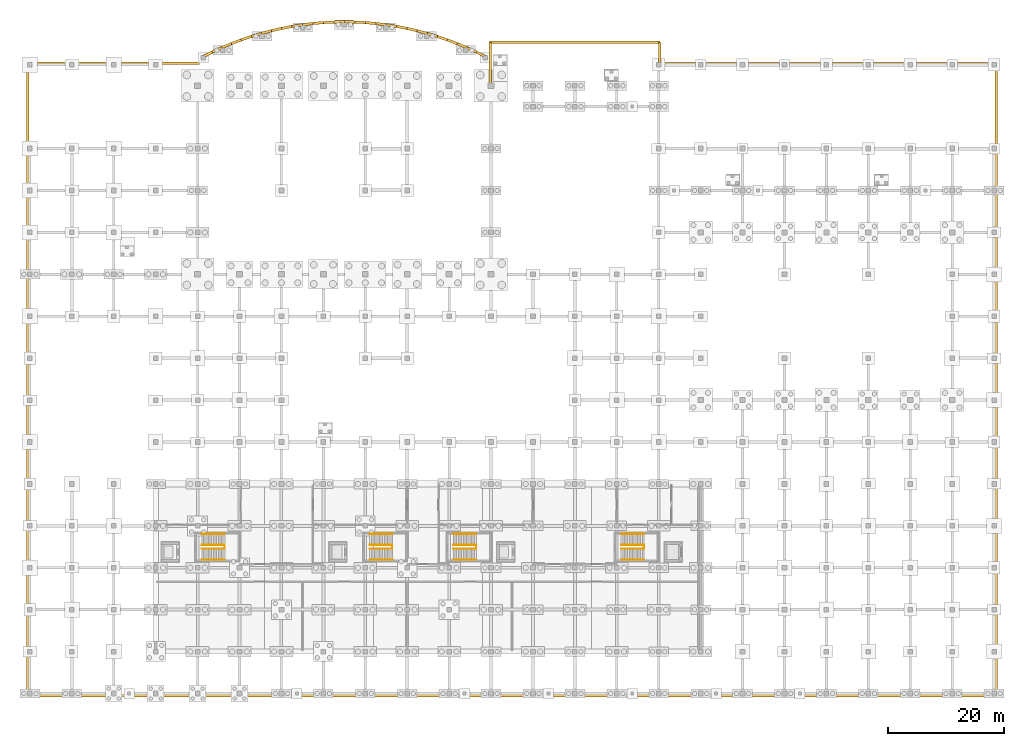
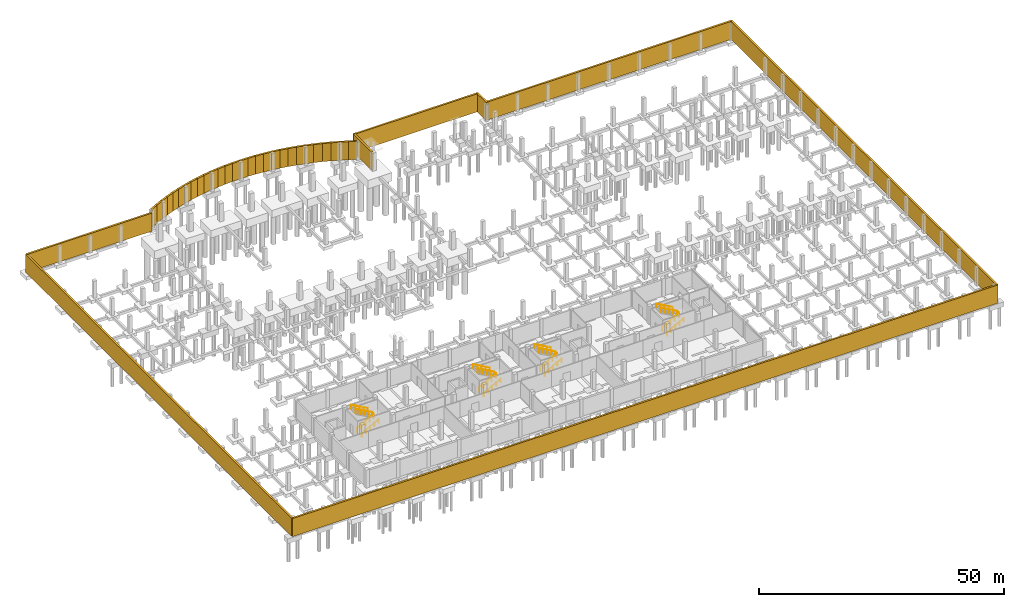
# One storey, part 21 of 22: 36 coverings, 12 railings.
"""IFC4 building model written with IfcOpenShell, lengths in metres."""

import ifcopenshell
import ifcopenshell.guid

model = None  # the IFC model being written
_history = None  # IfcOwnerHistory: only IFC2X3 demands one
_inside = {}  # id of a spatial element -> (the spatial element, [elements in it])
_under = {}  # id of a project, library or spatial element -> (it, [spatial elements below it])
_declared = {}  # id of a project -> (the project, [libraries it declares])
_typed = {}  # id of a type object -> (the type object, [elements of that type])
_made_of = {}  # id of a material, layer set ... -> (it, [elements and type objects made of it])


def new_model(schema):
    """Start an empty IFC model of exactly this schema.

    Asked for "IFC4X3", IfcOpenShell would pick the latest addendum, in which some entities
    have other attributes; the version numbers below select the first issue.
    IFC2X3 requires an IfcOwnerHistory on every rooted entity: one is made here for all.
    """
    global model, _history
    if schema == "IFC4X3":
        model = ifcopenshell.file(schema_version=(4, 3, 0, 0))
    else:
        model = ifcopenshell.file(schema=schema)
    _inside.clear()
    _under.clear()
    _declared.clear()
    _typed.clear()
    _made_of.clear()
    _history = None
    if model.schema == "IFC2X3":
        org = make("IfcOrganization", Name="unknown")
        user = make(
            "IfcPersonAndOrganization",
            ThePerson=make("IfcPerson", FamilyName="unknown"),
            TheOrganization=org,
        )
        app = make(
            "IfcApplication",
            ApplicationDeveloper=org,
            Version="unknown",
            ApplicationFullName="unknown",
            ApplicationIdentifier="unknown",
        )
        _history = make(
            "IfcOwnerHistory",
            OwningUser=user,
            OwningApplication=app,
            ChangeAction="ADDED",
            CreationDate=0,
        )
    return model


def make(cls, **values):
    """One entity of the class cls with the attributes given. An attribute that is None is left unset."""
    return model.create_entity(
        cls, **{name: value for name, value in values.items() if value is not None}
    )


def rooted(cls, **values):
    """An entity with a GlobalId (a new one), such as an element, a storey or a relation."""
    return make(cls, GlobalId=ifcopenshell.guid.new(), OwnerHistory=_history, **values)


def si_unit(unit_type, name, prefix=None):
    """IfcSIUnit, for example si_unit("LENGTHUNIT", "METRE", prefix="MILLI")."""
    return make("IfcSIUnit", UnitType=unit_type, Prefix=prefix, Name=name)


def assignment(units):
    """IfcUnitAssignment: the units of a project."""
    return None if units is None else make("IfcUnitAssignment", Units=units)


def point(xyz):
    """IfcCartesianPoint."""
    return None if xyz is None else make("IfcCartesianPoint", Coordinates=xyz)


def direction(xyz):
    """IfcDirection."""
    return None if xyz is None else make("IfcDirection", DirectionRatios=xyz)


def frame(location, z_axis=None, x_axis=None):
    """IfcAxis2Placement3D, a coordinate frame: its origin and axes. An axis left out is left unset."""
    return make(
        "IfcAxis2Placement3D",
        Location=point(location),
        Axis=direction(z_axis),
        RefDirection=direction(x_axis),
    )


def frame_2d(location, x_axis=None):
    """IfcAxis2Placement2D, a coordinate frame in the plane: its origin and x axis."""
    return make(
        "IfcAxis2Placement2D", Location=point(location), RefDirection=direction(x_axis)
    )


def origin():
    """The frame at (0, 0, 0) with its axes left unset."""
    return frame((0.0, 0.0, 0.0))


def origin_2d():
    """The frame at (0, 0) in the plane with its x axis left unset."""
    return frame_2d((0.0, 0.0))


def place(relative_to, where):
    """IfcLocalPlacement: puts the frame where relative to a parent placement (None: the world)."""
    return make(
        "IfcLocalPlacement", PlacementRelTo=relative_to, RelativePlacement=where
    )


def context(
    kind, dimensions, precision=None, world=None, true_north=None, identifier=None
):
    """IfcGeometricRepresentationContext, for example the 3D "Model" context."""
    return make(
        "IfcGeometricRepresentationContext",
        ContextIdentifier=identifier,
        ContextType=kind,
        CoordinateSpaceDimension=dimensions,
        Precision=precision,
        WorldCoordinateSystem=world,
        TrueNorth=true_north,
    )


def subcontext(parent, identifier, kind, view, scale=None):
    """IfcGeometricRepresentationSubContext, for example "Body" below "Model"."""
    return make(
        "IfcGeometricRepresentationSubContext",
        ContextIdentifier=identifier,
        ContextType=kind,
        ParentContext=parent,
        TargetScale=scale,
        TargetView=view,
    )


def project(units=None, contexts=None):
    """IfcProject with its units and contexts."""
    return rooted(
        "IfcProject",
        Name="project",
        RepresentationContexts=contexts,
        UnitsInContext=assignment(units),
    )


def spatial(cls, under=None, at=None, **own):
    """A site, building, storey or space (cls), placed at a placement, below another one or the project."""
    s = rooted(cls, ObjectPlacement=at, **own)
    if under is not None:
        _under.setdefault(under.id(), (under, []))[1].append(s)
    return s


def profile(cls, at=None, kind="AREA", **sizes):
    """A parametric profile (cls). Its sizes go by their IFC names, for example OverallWidth=200.0."""
    return make(cls, ProfileType=kind, Position=at, **sizes)


def rectangle(**sizes):
    """IfcRectangleProfileDef."""
    return profile("IfcRectangleProfileDef", **sizes)


def circle(**sizes):
    """IfcCircleProfileDef."""
    return profile("IfcCircleProfileDef", **sizes)


def extrude(swept, where, along, depth):
    """IfcExtrudedAreaSolid: the profile swept, set in the frame where, extruded along a direction by depth."""
    return make(
        "IfcExtrudedAreaSolid",
        SweptArea=swept,
        Position=where,
        ExtrudedDirection=direction(along),
        Depth=depth,
    )


def shape(context_of_items, identifier, shape_type, items):
    """IfcShapeRepresentation: the items that make up one representation, for example the "Body"."""
    return make(
        "IfcShapeRepresentation",
        ContextOfItems=context_of_items,
        RepresentationIdentifier=identifier,
        RepresentationType=shape_type,
        Items=items,
    )


def material(Name=None, Category=None):
    """IfcMaterial."""
    return make("IfcMaterial", Name=Name, Category=Category)


def layer(
    of_material, thickness, ventilated=None, Name=None, Category=None, Priority=None
):
    """IfcMaterialLayer: one layer of a wall or slab, of a material (None: an air gap)."""
    return make(
        "IfcMaterialLayer",
        Material=of_material,
        LayerThickness=thickness,
        IsVentilated=ventilated,
        Name=Name,
        Category=Category,
        Priority=Priority,
    )


def layer_set(layers, Name=None):
    """IfcMaterialLayerSet."""
    return make("IfcMaterialLayerSet", MaterialLayers=layers, LayerSetName=Name)


def made_of(thing, what):
    """Note that an element or type object is made of a material, layer set ...; save() writes the relation."""
    if what is not None:
        _made_of.setdefault(what.id(), (what, []))[1].append(thing)
    return thing


def type_object(cls, material=None, **own):
    """A type object (cls), such as IfcWallType, which elements share."""
    return made_of(rooted(cls, **own), material)


def element(
    cls,
    number,
    at=None,
    inside=None,
    cuts=None,
    type_object=None,
    material=None,
    context=None,
    identifier="Body",
    shape_type=None,
    held_by="IfcProductDefinitionShape",
    body=None,
    shapes=None,
    **own,
):
    """One element of the class cls, such as IfcWall. Its Tag is "e" and its number.

    at: its placement. inside: the storey or other place that contains it. cuts: it is an
    opening in that element (IfcRelVoidsElement). A single representation is given by context,
    identifier, shape_type and body (its items); several are given by shapes. held_by: the class
    of the entity that holds the representations. save() writes the other relations.
    """
    e = rooted(cls, Tag="e%d" % number, ObjectPlacement=at, **own)
    if body is not None:
        shapes = [shape(context, identifier, shape_type, body)]
    if shapes is not None:
        e.Representation = make(held_by, Representations=shapes)
    if inside is not None:
        _inside.setdefault(inside.id(), (inside, []))[1].append(e)
    if cuts is not None:
        rooted(
            "IfcRelVoidsElement", RelatingBuildingElement=cuts, RelatedOpeningElement=e
        )
    if type_object is not None:
        _typed.setdefault(type_object.id(), (type_object, []))[1].append(e)
    return made_of(e, material)


def aggregate(whole, parts):
    """IfcRelAggregates: a whole, such as a stair, and the parts it consists of."""
    return rooted("IfcRelAggregates", RelatingObject=whole, RelatedObjects=parts)


def save(model, path):
    """Write the relations noted so far, then the file.

    IfcRelAggregates (storeys below a building ...), IfcRelContainedInSpatialStructure (elements
    in a storey), IfcRelDefinesByType, IfcRelAssociatesMaterial and IfcRelDeclares: one each for
    every whole, place, type object, material and project.
    """
    for whole, parts in _under.values():
        aggregate(whole, parts)
    for where, things in _inside.values():
        rooted(
            "IfcRelContainedInSpatialStructure",
            RelatedElements=things,
            RelatingStructure=where,
        )
    for kind, things in _typed.values():
        rooted("IfcRelDefinesByType", RelatedObjects=things, RelatingType=kind)
    for what, things in _made_of.values():
        rooted("IfcRelAssociatesMaterial", RelatedObjects=things, RelatingMaterial=what)
    for by, libraries in _declared.values():
        rooted("IfcRelDeclares", RelatingContext=by, RelatedDefinitions=libraries)
    model.write(path)


model = new_model("IFC4")

# Units and contexts
model_context = context("Model", 3, precision=1e-05, world=origin(), true_north=direction((0.0, 1.0)))
body_context = subcontext(model_context, "Body", "Model", "MODEL_VIEW")
ifc_project = project(units=[si_unit("LENGTHUNIT", "METRE"), si_unit("AREAUNIT", "SQUARE_METRE"), si_unit("VOLUMEUNIT", "CUBIC_METRE"), si_unit("PLANEANGLEUNIT", "RADIAN"), si_unit("MASSUNIT", "GRAM", prefix="KILO")], contexts=[model_context])

# Site, building, storey
site_placement = place(None, origin())
site = spatial("IfcSite", under=ifc_project, at=site_placement, CompositionType="ELEMENT")
building_placement = place(site_placement, origin())
building = spatial("IfcBuilding", under=site, at=building_placement, Name="Sardonyx Promenade Sports Hall", CompositionType="ELEMENT")
storey_placement = place(building_placement, frame((0.0, 0.0, -4.5)))
storey = spatial("IfcBuildingStorey", under=building, at=storey_placement, Name="B1", CompositionType="ELEMENT", Elevation=-4.5)

# Coverings
ifc_material_1 = material(Name="Dressed Cape red sandstone ashlar", Category="masonry")
ifc_layer = layer(ifc_material_1, 0.06005859375)
ifc_layer_set = layer_set([ifc_layer], Name="Cov_Cladding_Sandstone")
covering_type = type_object("IfcCoveringType", Name="Cov_Cladding_Sandstone", PredefinedType="CLADDING", material=ifc_layer_set)
covering_1_placement = place(storey_placement, frame((-0.449951171875, -0.35009765625, 0.0), z_axis=(0.0, 0.0, 1.0), x_axis=(1.0, 0.0, 0.0)))
element("IfcCovering", 1, at=covering_1_placement, inside=storey, type_object=covering_type, Name="Harbourfront dressed sandstone plinth S", PredefinedType="CLADDING", context=body_context, shape_type="SweptSolid", body=[
    extrude(rectangle(XDim=166.5, YDim=0.43994140625, at=frame_2d((83.25, 0.0))), origin(), (0.0, 0.0, 1.0), 4.5),
])
for number, where, z_axis, x_axis, name in (
    (2, (165.949951171875, -0.35009765625, 0.0), (0.0, 0.0, 1.0), (0.0, 1.0, 0.0), "Harbourfront dressed sandstone plinth E"),
    (3, (-0.35009765625, -0.35009765625, 0.0), (0.0, 0.0, 1.0), (0.0, 1.0, 0.0), "Harbourfront dressed sandstone plinth W"),
):
    element("IfcCovering", number, at=place(storey_placement, frame(where, z_axis=z_axis, x_axis=x_axis)), inside=storey, type_object=covering_type, Name=name, PredefinedType="CLADDING", context=body_context, shape_type="SweptSolid", body=[
        extrude(rectangle(XDim=108.7001953125, YDim=0.43994140625, at=frame_2d((54.35009765625, 0.0))), origin(), (0.0, 0.0, 1.0), 4.5),
    ])
covering_2_placement = place(storey_placement, frame((-0.35009765625, 108.25, 0.0), z_axis=(0.0, 0.0, 1.0), x_axis=(1.0, 0.0, 0.0)))
element("IfcCovering", 4, at=covering_2_placement, inside=storey, type_object=covering_type, Name="Harbourfront dressed sandstone plinth NW", PredefinedType="CLADDING", context=body_context, shape_type="SweptSolid", body=[
    extrude(rectangle(XDim=29.4501953125, YDim=0.43994140625, at=frame_2d((14.72509765625, 0.0))), origin(), (0.0, 0.0, 1.0), 4.5),
])
covering_3_placement = place(storey_placement, frame((78.89990234375, 111.85009765625, 0.0), z_axis=(0.0, 0.0, 1.0), x_axis=(1.0, 0.0, 0.0)))
element("IfcCovering", 5, at=covering_3_placement, inside=storey, type_object=covering_type, Name="Harbourfront dressed sandstone plinth NP", PredefinedType="CLADDING", context=body_context, shape_type="SweptSolid", body=[
    extrude(rectangle(XDim=29.35009765625, YDim=0.43994140625, at=frame_2d((14.675048828125, 0.0))), origin(), (0.0, 0.0, 1.0), 4.5),
])
covering_4_placement = place(storey_placement, frame((79.050048828125, 104.39990234375, 0.0), z_axis=(0.0, 0.0, 1.0), x_axis=(0.0, 1.0, 0.0)))
element("IfcCovering", 6, at=covering_4_placement, inside=storey, type_object=covering_type, Name="Harbourfront dressed sandstone plinth NPW", PredefinedType="CLADDING", context=body_context, shape_type="SweptSolid", body=[
    extrude(rectangle(XDim=7.4501953125, YDim=0.43994140625, at=frame_2d((3.72509765625, 0.0))), origin(), (0.0, 0.0, 1.0), 4.5),
])
covering_5_placement = place(storey_placement, frame((108.14990234375, 108.0, 0.0), z_axis=(0.0, 0.0, 1.0), x_axis=(0.0, 1.0, 0.0)))
element("IfcCovering", 7, at=covering_5_placement, inside=storey, type_object=covering_type, Name="Harbourfront dressed sandstone plinth NPE", PredefinedType="CLADDING", context=body_context, shape_type="SweptSolid", body=[
    extrude(rectangle(XDim=3.85009765625, YDim=0.43994140625, at=frame_2d((1.925048828125, 0.0))), origin(), (0.0, 0.0, 1.0), 4.5),
])
covering_6_placement = place(storey_placement, frame((108.0, 108.25, 0.0), z_axis=(0.0, 0.0, 1.0), x_axis=(1.0, 0.0, 0.0)))
element("IfcCovering", 8, at=covering_6_placement, inside=storey, type_object=covering_type, Name="Harbourfront dressed sandstone plinth NE", PredefinedType="CLADDING", context=body_context, shape_type="SweptSolid", body=[
    extrude(rectangle(XDim=57.949951171875, YDim=0.43994140625, at=frame_2d((28.97509765625, 0.0))), origin(), (0.0, 0.0, 1.0), 4.5),
])
covering_7_placement = place(storey_placement, frame((29.70166015625, 109.354736328125, 0.0), z_axis=(0.0, 0.0, 1.0), x_axis=(0.892793566512, 0.450466033787, 0.0)))
element("IfcCovering", 9, at=covering_7_placement, inside=storey, type_object=covering_type, Name="Harbourfront bowed sandstone plinth CH01", PredefinedType="CLADDING", context=body_context, shape_type="SweptSolid", body=[
    extrude(rectangle(XDim=1.7998046875, YDim=0.43994140625, at=frame_2d((0.89990234375, 0.0))), origin(), (0.0, 0.0, 1.0), 4.5),
])
for number, where, z_axis, x_axis, name in (
    (10, (31.313720703125, 110.16796875, 0.0), (0.0, 0.0, 1.0), (0.907808472517, 0.419384998808, 0.0), "Harbourfront bowed sandstone plinth CH02"),
    (11, (32.952880859375, 110.925048828125, 0.0), (0.0, 0.0, 1.0), (0.921803799964, 0.387656748131, 0.0), "Harbourfront bowed sandstone plinth CH03"),
    (12, (34.6171875, 111.625, 0.0), (0.0, 0.0, 1.0), (0.934674543416, 0.35550456803, 0.0), "Harbourfront bowed sandstone plinth CH04"),
    (13, (36.3046875, 112.2666015625, 0.0), (0.0, 0.0, 1.0), (0.94638019917, 0.323054977705, 0.0), "Harbourfront bowed sandstone plinth CH05"),
    (14, (38.013671875, 112.849853515625, 0.0), (0.0, 0.0, 1.0), (0.957031248592, 0.289984808601, 0.0), "Harbourfront bowed sandstone plinth CH06"),
):
    element("IfcCovering", number, at=place(storey_placement, frame(where, z_axis=z_axis, x_axis=x_axis)), inside=storey, type_object=covering_type, Name=name, PredefinedType="CLADDING", context=body_context, shape_type="SweptSolid", body=[
        extrude(rectangle(XDim=1.800048828125, YDim=0.43994140625, at=frame_2d((0.89990234375, 0.0))), origin(), (0.0, 0.0, 1.0), 4.5),
    ])
covering_8_placement = place(storey_placement, frame((39.74169921875, 113.373291015625, 0.0), z_axis=(0.0, 0.0, 1.0), x_axis=(0.9664709268, 0.256776065183, 0.0)))
element("IfcCovering", 15, at=covering_8_placement, inside=storey, type_object=covering_type, Name="Harbourfront bowed sandstone plinth CH07", PredefinedType="CLADDING", context=body_context, shape_type="SweptSolid", body=[
    extrude(rectangle(XDim=1.7998046875, YDim=0.43994140625, at=frame_2d((0.89990234375, 0.0))), origin(), (0.0, 0.0, 1.0), 4.5),
])
for number, where, z_axis, x_axis, name in (
    (16, (41.486572265625, 113.836669921875, 0.0), (0.0, 0.0, 1.0), (0.974791962114, 0.223115733641, 0.0), "Harbourfront bowed sandstone plinth CH08"),
    (17, (43.24658203125, 114.239501953125, 0.0), (0.0, 0.0, 1.0), (0.981938667142, 0.189199508379, 0.0), "Harbourfront bowed sandstone plinth CH09"),
    (18, (45.01953125, 114.5810546875, 0.0), (0.0, 0.0, 1.0), (0.987890195462, 0.155154638057, 0.0), "Harbourfront bowed sandstone plinth CH10"),
    (19, (46.80322265625, 114.861083984375, 0.0), (0.0, 0.0, 1.0), (0.992671296073, 0.120845761006, 0.0), "Harbourfront bowed sandstone plinth CH11"),
    (20, (48.595703125, 115.079345703125, 0.0), (0.0, 0.0, 1.0), (0.996260411494, 0.086401345422, 0.0), "Harbourfront bowed sandstone plinth CH12"),
    (21, (50.394287109375, 115.235107421875, 0.0), (0.0, 0.0, 1.0), (0.998649863362, 0.051946611119, 0.0), "Harbourfront bowed sandstone plinth CH13"),
    (22, (52.197509765625, 115.328857421875, 0.0), (0.0, 0.0, 1.0), (0.999851642284, 0.017224790907, 0.0), "Harbourfront bowed sandstone plinth CH14"),
    (23, (54.002685546875, 115.35986328125, 0.0), (0.0, 0.0, 1.0), (0.999851642284, -0.017224790907, 0.0), "Harbourfront bowed sandstone plinth CH15"),
    (24, (55.80810546875, 115.32861328125, 0.0), (0.0, 0.0, 1.0), (0.998649863362, -0.051946611119, 0.0), "Harbourfront bowed sandstone plinth CH16"),
    (25, (57.611083984375, 115.23486328125, 0.0), (0.0, 0.0, 1.0), (0.996260411494, -0.086401345422, 0.0), "Harbourfront bowed sandstone plinth CH17"),
    (26, (59.409912109375, 115.07861328125, 0.0), (0.0, 0.0, 1.0), (0.992671296073, -0.120845761006, 0.0), "Harbourfront bowed sandstone plinth CH18"),
    (27, (61.2021484375, 114.8603515625, 0.0), (0.0, 0.0, 1.0), (0.987890195462, -0.155154638057, 0.0), "Harbourfront bowed sandstone plinth CH19"),
    (28, (62.98583984375, 114.580078125, 0.0), (0.0, 0.0, 1.0), (0.981938667142, -0.189199508379, 0.0), "Harbourfront bowed sandstone plinth CH20"),
    (29, (64.7587890625, 114.23828125, 0.0), (0.0, 0.0, 1.0), (0.974791962114, -0.223115733641, 0.0), "Harbourfront bowed sandstone plinth CH21"),
):
    element("IfcCovering", number, at=place(storey_placement, frame(where, z_axis=z_axis, x_axis=x_axis)), inside=storey, type_object=covering_type, Name=name, PredefinedType="CLADDING", context=body_context, shape_type="SweptSolid", body=[
        extrude(rectangle(XDim=1.800048828125, YDim=0.43994140625, at=frame_2d((0.89990234375, 0.0))), origin(), (0.0, 0.0, 1.0), 4.5),
    ])
covering_9_placement = place(storey_placement, frame((66.518798828125, 113.83544921875, 0.0), z_axis=(0.0, 0.0, 1.0), x_axis=(0.9664709268, -0.256776065183, 0.0)))
element("IfcCovering", 30, at=covering_9_placement, inside=storey, type_object=covering_type, Name="Harbourfront bowed sandstone plinth CH22", PredefinedType="CLADDING", context=body_context, shape_type="SweptSolid", body=[
    extrude(rectangle(XDim=1.7998046875, YDim=0.43994140625, at=frame_2d((0.89990234375, 0.0))), origin(), (0.0, 0.0, 1.0), 4.5),
])
for number, where, z_axis, x_axis, name in (
    (31, (68.263671875, 113.371826171875, 0.0), (0.0, 0.0, 1.0), (0.957031248592, -0.289984808601, 0.0), "Harbourfront bowed sandstone plinth CH23"),
    (32, (69.99169921875, 112.84814453125, 0.0), (0.0, 0.0, 1.0), (0.94638019917, -0.323054977705, 0.0), "Harbourfront bowed sandstone plinth CH24"),
    (33, (71.700439453125, 112.264892578125, 0.0), (0.0, 0.0, 1.0), (0.934674543416, -0.35550456803, 0.0), "Harbourfront bowed sandstone plinth CH25"),
    (34, (73.387939453125, 111.622802734375, 0.0), (0.0, 0.0, 1.0), (0.921803799964, -0.387656748131, 0.0), "Harbourfront bowed sandstone plinth CH26"),
    (35, (75.05224609375, 110.9228515625, 0.0), (0.0, 0.0, 1.0), (0.907808472517, -0.419384998808, 0.0), "Harbourfront bowed sandstone plinth CH27"),
):
    element("IfcCovering", number, at=place(storey_placement, frame(where, z_axis=z_axis, x_axis=x_axis)), inside=storey, type_object=covering_type, Name=name, PredefinedType="CLADDING", context=body_context, shape_type="SweptSolid", body=[
        extrude(rectangle(XDim=1.800048828125, YDim=0.43994140625, at=frame_2d((0.89990234375, 0.0))), origin(), (0.0, 0.0, 1.0), 4.5),
    ])
covering_10_placement = place(storey_placement, frame((76.69140625, 110.16552734375, 0.0), z_axis=(0.0, 0.0, 1.0), x_axis=(0.892793566512, -0.450466033787, 0.0)))
element("IfcCovering", 36, at=covering_10_placement, inside=storey, type_object=covering_type, Name="Harbourfront bowed sandstone plinth CH28", PredefinedType="CLADDING", context=body_context, shape_type="SweptSolid", body=[
    extrude(rectangle(XDim=1.7998046875, YDim=0.43994140625, at=frame_2d((0.89990234375, 0.0))), origin(), (0.0, 0.0, 1.0), 4.5),
])

# Railings
ifc_material_2 = material(Name="Powder-coated Steel S355JR", Category="steel")
railing_type_1 = type_object("IfcRailingType", Name="Rail_Int_Guard_1100", PredefinedType="GUARDRAIL", material=ifc_material_2)
railing_1_placement = place(storey_placement, frame((29.550048828125, 24.885009765625, 0.14990234375)))
element("IfcRailing", 37, at=railing_1_placement, inside=storey, type_object=railing_type_1, Name="Stair inner well guard ST1 B1", PredefinedType="GUARDRAIL", context=body_context, shape_type="SweptSolid", body=[
    extrude(circle(Radius=0.02392578125, at=origin_2d()), frame((0.0, 0.0, 1.09619140625), z_axis=(0.880456940745, 0.0, 0.474126117709), x_axis=(0.0, 1.0, 0.0)), (0.0, 0.0, 1.0), 4.429443359375),
    extrude(circle(Radius=0.02392578125, at=origin_2d()), frame((3.89990234375, 0.0, 3.1962890625), z_axis=(0.0, 1.0, 0.0), x_axis=(-1.0, 0.0, 0.0)), (0.0, 0.0, 1.0), 0.6298828125),
    extrude(circle(Radius=0.02392578125, at=origin_2d()), frame((3.89990234375, 0.6298828125, 3.1962890625), z_axis=(-0.866180169578, 0.0, 0.49973184192), x_axis=(0.0, -1.0, 0.0)), (0.0, 0.0, 1.0), 4.50244140625),
    extrude(circle(Radius=0.02099609375, at=origin_2d()), origin(), (0.0, 0.0, 1.0), 1.072021484375),
    extrude(circle(Radius=0.02099609375, at=origin_2d()), frame((0.97509765625, 0.0, 0.52490234375)), (0.0, 0.0, 1.0), 1.072021484375),
    extrude(circle(Radius=0.02099609375, at=origin_2d()), frame((1.949951171875, 0.0, 1.050048828125)), (0.0, 0.0, 1.0), 1.072021484375),
    extrude(circle(Radius=0.02099609375, at=origin_2d()), frame((2.9248046875, 0.0, 1.5751953125)), (0.0, 0.0, 1.0), 1.072021484375),
    extrude(circle(Radius=0.02099609375, at=origin_2d()), frame((3.89990234375, 0.0, 2.10009765625)), (0.0, 0.0, 1.0), 1.072021484375),
    extrude(circle(Radius=0.02099609375, at=origin_2d()), frame((3.89990234375, 0.6298828125, 2.10009765625)), (0.0, 0.0, 1.0), 1.072021484375),
    extrude(circle(Radius=0.02099609375, at=origin_2d()), frame((2.9248046875, 0.6298828125, 2.66259765625)), (0.0, 0.0, 1.0), 1.072021484375),
    extrude(circle(Radius=0.02099609375, at=origin_2d()), frame((1.949951171875, 0.6298828125, 3.22509765625)), (0.0, 0.0, 1.0), 1.072021484375),
    extrude(circle(Radius=0.02099609375, at=origin_2d()), frame((0.97509765625, 0.6298828125, 3.78759765625)), (0.0, 0.0, 1.0), 1.072021484375),
    extrude(circle(Radius=0.02099609375, at=origin_2d()), frame((0.0, 0.6298828125, 4.35009765625)), (0.0, 0.0, 1.0), 1.072021484375),
])
railing_2_placement = place(storey_placement, frame((101.550048828125, 24.885009765625, 0.14990234375)))
element("IfcRailing", 38, at=railing_2_placement, inside=storey, type_object=railing_type_1, Name="Stair inner well guard ST2 B1", PredefinedType="GUARDRAIL", context=body_context, shape_type="SweptSolid", body=[
    extrude(circle(Radius=0.02392578125, at=origin_2d()), frame((0.0, 0.0, 1.09619140625), z_axis=(0.880456940745, 0.0, 0.474126117709), x_axis=(0.0, 1.0, 0.0)), (0.0, 0.0, 1.0), 4.429443359375),
    extrude(circle(Radius=0.02392578125, at=origin_2d()), frame((3.89990234375, 0.0, 3.1962890625), z_axis=(0.0, 1.0, 0.0), x_axis=(-1.0, 0.0, 0.0)), (0.0, 0.0, 1.0), 0.6298828125),
    extrude(circle(Radius=0.02392578125, at=origin_2d()), frame((3.89990234375, 0.6298828125, 3.1962890625), z_axis=(-0.866180169578, 0.0, 0.49973184192), x_axis=(0.0, -1.0, 0.0)), (0.0, 0.0, 1.0), 4.50244140625),
    extrude(circle(Radius=0.02099609375, at=origin_2d()), origin(), (0.0, 0.0, 1.0), 1.072021484375),
    extrude(circle(Radius=0.02099609375, at=origin_2d()), frame((0.97509765625, 0.0, 0.52490234375)), (0.0, 0.0, 1.0), 1.072021484375),
    extrude(circle(Radius=0.02099609375, at=origin_2d()), frame((1.949951171875, 0.0, 1.050048828125)), (0.0, 0.0, 1.0), 1.072021484375),
    extrude(circle(Radius=0.02099609375, at=origin_2d()), frame((2.9248046875, 0.0, 1.5751953125)), (0.0, 0.0, 1.0), 1.072021484375),
    extrude(circle(Radius=0.02099609375, at=origin_2d()), frame((3.89990234375, 0.0, 2.10009765625)), (0.0, 0.0, 1.0), 1.072021484375),
    extrude(circle(Radius=0.02099609375, at=origin_2d()), frame((3.89990234375, 0.6298828125, 2.10009765625)), (0.0, 0.0, 1.0), 1.072021484375),
    extrude(circle(Radius=0.02099609375, at=origin_2d()), frame((2.9248046875, 0.6298828125, 2.66259765625)), (0.0, 0.0, 1.0), 1.072021484375),
    extrude(circle(Radius=0.02099609375, at=origin_2d()), frame((1.949951171875, 0.6298828125, 3.22509765625)), (0.0, 0.0, 1.0), 1.072021484375),
    extrude(circle(Radius=0.02099609375, at=origin_2d()), frame((0.97509765625, 0.6298828125, 3.78759765625)), (0.0, 0.0, 1.0), 1.072021484375),
    extrude(circle(Radius=0.02099609375, at=origin_2d()), frame((0.0, 0.6298828125, 4.35009765625)), (0.0, 0.0, 1.0), 1.072021484375),
])
railing_3_placement = place(storey_placement, frame((58.35009765625, 24.885009765625, 0.14990234375)))
element("IfcRailing", 39, at=railing_3_placement, inside=storey, type_object=railing_type_1, Name="Stair inner well guard ST3 B1", PredefinedType="GUARDRAIL", context=body_context, shape_type="SweptSolid", body=[
    extrude(circle(Radius=0.02392578125, at=origin_2d()), frame((0.0, 0.0, 1.09619140625), z_axis=(0.880456940745, 0.0, 0.474126117709), x_axis=(0.0, 1.0, 0.0)), (0.0, 0.0, 1.0), 4.429443359375),
    extrude(circle(Radius=0.02392578125, at=origin_2d()), frame((3.89990234375, 0.0, 3.1962890625), z_axis=(0.0, 1.0, 0.0), x_axis=(-1.0, 0.0, 0.0)), (0.0, 0.0, 1.0), 0.6298828125),
    extrude(circle(Radius=0.02392578125, at=origin_2d()), frame((3.89990234375, 0.6298828125, 3.1962890625), z_axis=(-0.866180169578, 0.0, 0.49973184192), x_axis=(0.0, -1.0, 0.0)), (0.0, 0.0, 1.0), 4.50244140625),
    extrude(circle(Radius=0.02099609375, at=origin_2d()), origin(), (0.0, 0.0, 1.0), 1.072021484375),
    extrude(circle(Radius=0.02099609375, at=origin_2d()), frame((0.97509765625, 0.0, 0.52490234375)), (0.0, 0.0, 1.0), 1.072021484375),
    extrude(circle(Radius=0.02099609375, at=origin_2d()), frame((1.949951171875, 0.0, 1.050048828125)), (0.0, 0.0, 1.0), 1.072021484375),
    extrude(circle(Radius=0.02099609375, at=origin_2d()), frame((2.9248046875, 0.0, 1.5751953125)), (0.0, 0.0, 1.0), 1.072021484375),
    extrude(circle(Radius=0.02099609375, at=origin_2d()), frame((3.89990234375, 0.0, 2.10009765625)), (0.0, 0.0, 1.0), 1.072021484375),
    extrude(circle(Radius=0.02099609375, at=origin_2d()), frame((3.89990234375, 0.6298828125, 2.10009765625)), (0.0, 0.0, 1.0), 1.072021484375),
    extrude(circle(Radius=0.02099609375, at=origin_2d()), frame((2.9248046875, 0.6298828125, 2.66259765625)), (0.0, 0.0, 1.0), 1.072021484375),
    extrude(circle(Radius=0.02099609375, at=origin_2d()), frame((1.949951171875, 0.6298828125, 3.22509765625)), (0.0, 0.0, 1.0), 1.072021484375),
    extrude(circle(Radius=0.02099609375, at=origin_2d()), frame((0.97509765625, 0.6298828125, 3.78759765625)), (0.0, 0.0, 1.0), 1.072021484375),
    extrude(circle(Radius=0.02099609375, at=origin_2d()), frame((0.0, 0.6298828125, 4.35009765625)), (0.0, 0.0, 1.0), 1.072021484375),
])
railing_4_placement = place(storey_placement, frame((72.75, 24.885009765625, 0.14990234375)))
element("IfcRailing", 40, at=railing_4_placement, inside=storey, type_object=railing_type_1, Name="Stair inner well guard ST4 B1", PredefinedType="GUARDRAIL", context=body_context, shape_type="SweptSolid", body=[
    extrude(circle(Radius=0.02392578125, at=origin_2d()), frame((0.0, 0.0, 1.09619140625), z_axis=(0.880456940745, 0.0, 0.474126117709), x_axis=(0.0, 1.0, 0.0)), (0.0, 0.0, 1.0), 4.429443359375),
    extrude(circle(Radius=0.02392578125, at=origin_2d()), frame((3.89990234375, 0.0, 3.1962890625), z_axis=(0.0, 1.0, 0.0), x_axis=(-1.0, 0.0, 0.0)), (0.0, 0.0, 1.0), 0.6298828125),
    extrude(circle(Radius=0.02392578125, at=origin_2d()), frame((3.89990234375, 0.6298828125, 3.1962890625), z_axis=(-0.866180169578, 0.0, 0.49973184192), x_axis=(0.0, -1.0, 0.0)), (0.0, 0.0, 1.0), 4.50244140625),
    extrude(circle(Radius=0.02099609375, at=origin_2d()), origin(), (0.0, 0.0, 1.0), 1.072021484375),
    extrude(circle(Radius=0.02099609375, at=origin_2d()), frame((0.97509765625, 0.0, 0.52490234375)), (0.0, 0.0, 1.0), 1.072021484375),
    extrude(circle(Radius=0.02099609375, at=origin_2d()), frame((1.949951171875, 0.0, 1.050048828125)), (0.0, 0.0, 1.0), 1.072021484375),
    extrude(circle(Radius=0.02099609375, at=origin_2d()), frame((2.9248046875, 0.0, 1.5751953125)), (0.0, 0.0, 1.0), 1.072021484375),
    extrude(circle(Radius=0.02099609375, at=origin_2d()), frame((3.89990234375, 0.0, 2.10009765625)), (0.0, 0.0, 1.0), 1.072021484375),
    extrude(circle(Radius=0.02099609375, at=origin_2d()), frame((3.89990234375, 0.6298828125, 2.10009765625)), (0.0, 0.0, 1.0), 1.072021484375),
    extrude(circle(Radius=0.02099609375, at=origin_2d()), frame((2.9248046875, 0.6298828125, 2.66259765625)), (0.0, 0.0, 1.0), 1.072021484375),
    extrude(circle(Radius=0.02099609375, at=origin_2d()), frame((1.949951171875, 0.6298828125, 3.22509765625)), (0.0, 0.0, 1.0), 1.072021484375),
    extrude(circle(Radius=0.02099609375, at=origin_2d()), frame((0.97509765625, 0.6298828125, 3.78759765625)), (0.0, 0.0, 1.0), 1.072021484375),
    extrude(circle(Radius=0.02099609375, at=origin_2d()), frame((0.0, 0.6298828125, 4.35009765625)), (0.0, 0.0, 1.0), 1.072021484375),
])
ifc_material_3 = material(Name="Brushed stainless steel Grade 304", Category="steel")
railing_type_2 = type_object("IfcRailingType", Name="Rail_Int_Handrail_900", PredefinedType="HANDRAIL", material=ifc_material_3)
railing_5_placement = place(storey_placement, frame((29.550048828125, 22.97509765625, 0.14990234375)))
element("IfcRailing", 41, at=railing_5_placement, inside=storey, type_object=railing_type_2, Name="Stair handrail ST1 B1 F1", PredefinedType="HANDRAIL", context=body_context, shape_type="SweptSolid", body=[
    extrude(circle(Radius=0.02392578125, at=origin_2d()), frame((0.0, 0.0, 0.8759765625), z_axis=(0.881466911329, 0.0, 0.472245787945), x_axis=(0.0, 1.0, 0.0)), (0.0, 0.0, 1.0), 4.447021484375),
    extrude(circle(Radius=0.02099609375, at=origin_2d()), origin(), (0.0, 0.0, 1.0), 0.851806640625),
    extrude(circle(Radius=0.02099609375, at=origin_2d()), frame((0.97998046875, 0.0, 0.52490234375)), (0.0, 0.0, 1.0), 0.851806640625),
    extrude(circle(Radius=0.02099609375, at=origin_2d()), frame((1.9599609375, 0.0, 1.050048828125)), (0.0, 0.0, 1.0), 0.851806640625),
    extrude(circle(Radius=0.02099609375, at=origin_2d()), frame((2.93994140625, 0.0, 1.5751953125)), (0.0, 0.0, 1.0), 0.851806640625),
    extrude(circle(Radius=0.02099609375, at=origin_2d()), frame((3.919921875, 0.0, 2.10009765625)), (0.0, 0.0, 1.0), 0.851806640625),
])
railing_6_placement = place(storey_placement, frame((33.469970703125, 27.425048828125, 2.39990234375)))
element("IfcRailing", 42, at=railing_6_placement, inside=storey, type_object=railing_type_2, Name="Stair handrail ST1 B1 F2", PredefinedType="HANDRAIL", context=body_context, shape_type="SweptSolid", body=[
    extrude(circle(Radius=0.02392578125, at=origin_2d()), frame((0.0, 0.0, 0.8759765625), z_axis=(-0.881466911329, 0.0, 0.472245787945), x_axis=(0.0, -1.0, 0.0)), (0.0, 0.0, 1.0), 4.447021484375),
    extrude(circle(Radius=0.02099609375, at=origin_2d()), origin(), (0.0, 0.0, 1.0), 0.851806640625),
    extrude(circle(Radius=0.02099609375, at=origin_2d()), frame((-0.97998046875, 0.0, 0.52490234375)), (0.0, 0.0, 1.0), 0.851806640625),
    extrude(circle(Radius=0.02099609375, at=origin_2d()), frame((-1.9599609375, 0.0, 1.050048828125)), (0.0, 0.0, 1.0), 0.851806640625),
    extrude(circle(Radius=0.02099609375, at=origin_2d()), frame((-2.93994140625, 0.0, 1.5751953125)), (0.0, 0.0, 1.0), 0.851806640625),
    extrude(circle(Radius=0.02099609375, at=origin_2d()), frame((-3.919921875, 0.0, 2.10009765625)), (0.0, 0.0, 1.0), 0.851806640625),
])
railing_7_placement = place(storey_placement, frame((101.550048828125, 22.97509765625, 0.14990234375)))
element("IfcRailing", 43, at=railing_7_placement, inside=storey, type_object=railing_type_2, Name="Stair handrail ST2 B1 F1", PredefinedType="HANDRAIL", context=body_context, shape_type="SweptSolid", body=[
    extrude(circle(Radius=0.02392578125, at=origin_2d()), frame((0.0, 0.0, 0.8759765625), z_axis=(0.881466911329, 0.0, 0.472245787945), x_axis=(0.0, 1.0, 0.0)), (0.0, 0.0, 1.0), 4.447021484375),
    extrude(circle(Radius=0.02099609375, at=origin_2d()), origin(), (0.0, 0.0, 1.0), 0.851806640625),
    extrude(circle(Radius=0.02099609375, at=origin_2d()), frame((0.97998046875, 0.0, 0.52490234375)), (0.0, 0.0, 1.0), 0.851806640625),
    extrude(circle(Radius=0.02099609375, at=origin_2d()), frame((1.9599609375, 0.0, 1.050048828125)), (0.0, 0.0, 1.0), 0.851806640625),
    extrude(circle(Radius=0.02099609375, at=origin_2d()), frame((2.93994140625, 0.0, 1.5751953125)), (0.0, 0.0, 1.0), 0.851806640625),
    extrude(circle(Radius=0.02099609375, at=origin_2d()), frame((3.919921875, 0.0, 2.10009765625)), (0.0, 0.0, 1.0), 0.851806640625),
])
railing_8_placement = place(storey_placement, frame((105.469970703125, 27.425048828125, 2.39990234375)))
element("IfcRailing", 44, at=railing_8_placement, inside=storey, type_object=railing_type_2, Name="Stair handrail ST2 B1 F2", PredefinedType="HANDRAIL", context=body_context, shape_type="SweptSolid", body=[
    extrude(circle(Radius=0.02392578125, at=origin_2d()), frame((0.0, 0.0, 0.8759765625), z_axis=(-0.881466911329, 0.0, 0.472245787945), x_axis=(0.0, -1.0, 0.0)), (0.0, 0.0, 1.0), 4.447021484375),
    extrude(circle(Radius=0.02099609375, at=origin_2d()), origin(), (0.0, 0.0, 1.0), 0.851806640625),
    extrude(circle(Radius=0.02099609375, at=origin_2d()), frame((-0.97998046875, 0.0, 0.52490234375)), (0.0, 0.0, 1.0), 0.851806640625),
    extrude(circle(Radius=0.02099609375, at=origin_2d()), frame((-1.9599609375, 0.0, 1.050048828125)), (0.0, 0.0, 1.0), 0.851806640625),
    extrude(circle(Radius=0.02099609375, at=origin_2d()), frame((-2.93994140625, 0.0, 1.5751953125)), (0.0, 0.0, 1.0), 0.851806640625),
    extrude(circle(Radius=0.02099609375, at=origin_2d()), frame((-3.919921875, 0.0, 2.10009765625)), (0.0, 0.0, 1.0), 0.851806640625),
])
railing_9_placement = place(storey_placement, frame((58.35009765625, 22.97509765625, 0.14990234375)))
element("IfcRailing", 45, at=railing_9_placement, inside=storey, type_object=railing_type_2, Name="Stair handrail ST3 B1 F1", PredefinedType="HANDRAIL", context=body_context, shape_type="SweptSolid", body=[
    extrude(circle(Radius=0.02392578125, at=origin_2d()), frame((0.0, 0.0, 0.8759765625), z_axis=(0.881466911329, 0.0, 0.472245787945), x_axis=(0.0, 1.0, 0.0)), (0.0, 0.0, 1.0), 4.447021484375),
    extrude(circle(Radius=0.02099609375, at=origin_2d()), origin(), (0.0, 0.0, 1.0), 0.851806640625),
    extrude(circle(Radius=0.02099609375, at=origin_2d()), frame((0.97998046875, 0.0, 0.52490234375)), (0.0, 0.0, 1.0), 0.851806640625),
    extrude(circle(Radius=0.02099609375, at=origin_2d()), frame((1.9599609375, 0.0, 1.050048828125)), (0.0, 0.0, 1.0), 0.851806640625),
    extrude(circle(Radius=0.02099609375, at=origin_2d()), frame((2.93994140625, 0.0, 1.5751953125)), (0.0, 0.0, 1.0), 0.851806640625),
    extrude(circle(Radius=0.02099609375, at=origin_2d()), frame((3.919921875, 0.0, 2.10009765625)), (0.0, 0.0, 1.0), 0.851806640625),
])
railing_10_placement = place(storey_placement, frame((62.27001953125, 27.425048828125, 2.39990234375)))
element("IfcRailing", 46, at=railing_10_placement, inside=storey, type_object=railing_type_2, Name="Stair handrail ST3 B1 F2", PredefinedType="HANDRAIL", context=body_context, shape_type="SweptSolid", body=[
    extrude(circle(Radius=0.02392578125, at=origin_2d()), frame((0.0, 0.0, 0.8759765625), z_axis=(-0.881466911329, 0.0, 0.472245787945), x_axis=(0.0, -1.0, 0.0)), (0.0, 0.0, 1.0), 4.447021484375),
    extrude(circle(Radius=0.02099609375, at=origin_2d()), origin(), (0.0, 0.0, 1.0), 0.851806640625),
    extrude(circle(Radius=0.02099609375, at=origin_2d()), frame((-0.97998046875, 0.0, 0.52490234375)), (0.0, 0.0, 1.0), 0.851806640625),
    extrude(circle(Radius=0.02099609375, at=origin_2d()), frame((-1.9599609375, 0.0, 1.050048828125)), (0.0, 0.0, 1.0), 0.851806640625),
    extrude(circle(Radius=0.02099609375, at=origin_2d()), frame((-2.93994140625, 0.0, 1.5751953125)), (0.0, 0.0, 1.0), 0.851806640625),
    extrude(circle(Radius=0.02099609375, at=origin_2d()), frame((-3.919921875, 0.0, 2.10009765625)), (0.0, 0.0, 1.0), 0.851806640625),
])
railing_11_placement = place(storey_placement, frame((72.75, 22.97509765625, 0.14990234375)))
element("IfcRailing", 47, at=railing_11_placement, inside=storey, type_object=railing_type_2, Name="Stair handrail ST4 B1 F1", PredefinedType="HANDRAIL", context=body_context, shape_type="SweptSolid", body=[
    extrude(circle(Radius=0.02392578125, at=origin_2d()), frame((0.0, 0.0, 0.8759765625), z_axis=(0.881466911329, 0.0, 0.472245787945), x_axis=(0.0, 1.0, 0.0)), (0.0, 0.0, 1.0), 4.447021484375),
    extrude(circle(Radius=0.02099609375, at=origin_2d()), origin(), (0.0, 0.0, 1.0), 0.851806640625),
    extrude(circle(Radius=0.02099609375, at=origin_2d()), frame((0.97998046875, 0.0, 0.52490234375)), (0.0, 0.0, 1.0), 0.851806640625),
    extrude(circle(Radius=0.02099609375, at=origin_2d()), frame((1.9599609375, 0.0, 1.050048828125)), (0.0, 0.0, 1.0), 0.851806640625),
    extrude(circle(Radius=0.02099609375, at=origin_2d()), frame((2.93994140625, 0.0, 1.5751953125)), (0.0, 0.0, 1.0), 0.851806640625),
    extrude(circle(Radius=0.02099609375, at=origin_2d()), frame((3.919921875, 0.0, 2.10009765625)), (0.0, 0.0, 1.0), 0.851806640625),
])
railing_12_placement = place(storey_placement, frame((76.669921875, 27.425048828125, 2.39990234375)))
element("IfcRailing", 48, at=railing_12_placement, inside=storey, type_object=railing_type_2, Name="Stair handrail ST4 B1 F2", PredefinedType="HANDRAIL", context=body_context, shape_type="SweptSolid", body=[
    extrude(circle(Radius=0.02392578125, at=origin_2d()), frame((0.0, 0.0, 0.8759765625), z_axis=(-0.881466911329, 0.0, 0.472245787945), x_axis=(0.0, -1.0, 0.0)), (0.0, 0.0, 1.0), 4.447021484375),
    extrude(circle(Radius=0.02099609375, at=origin_2d()), origin(), (0.0, 0.0, 1.0), 0.851806640625),
    extrude(circle(Radius=0.02099609375, at=origin_2d()), frame((-0.97998046875, 0.0, 0.52490234375)), (0.0, 0.0, 1.0), 0.851806640625),
    extrude(circle(Radius=0.02099609375, at=origin_2d()), frame((-1.9599609375, 0.0, 1.050048828125)), (0.0, 0.0, 1.0), 0.851806640625),
    extrude(circle(Radius=0.02099609375, at=origin_2d()), frame((-2.93994140625, 0.0, 1.5751953125)), (0.0, 0.0, 1.0), 0.851806640625),
    extrude(circle(Radius=0.02099609375, at=origin_2d()), frame((-3.919921875, 0.0, 2.10009765625)), (0.0, 0.0, 1.0), 0.851806640625),
])

save(model, "model.ifc")
